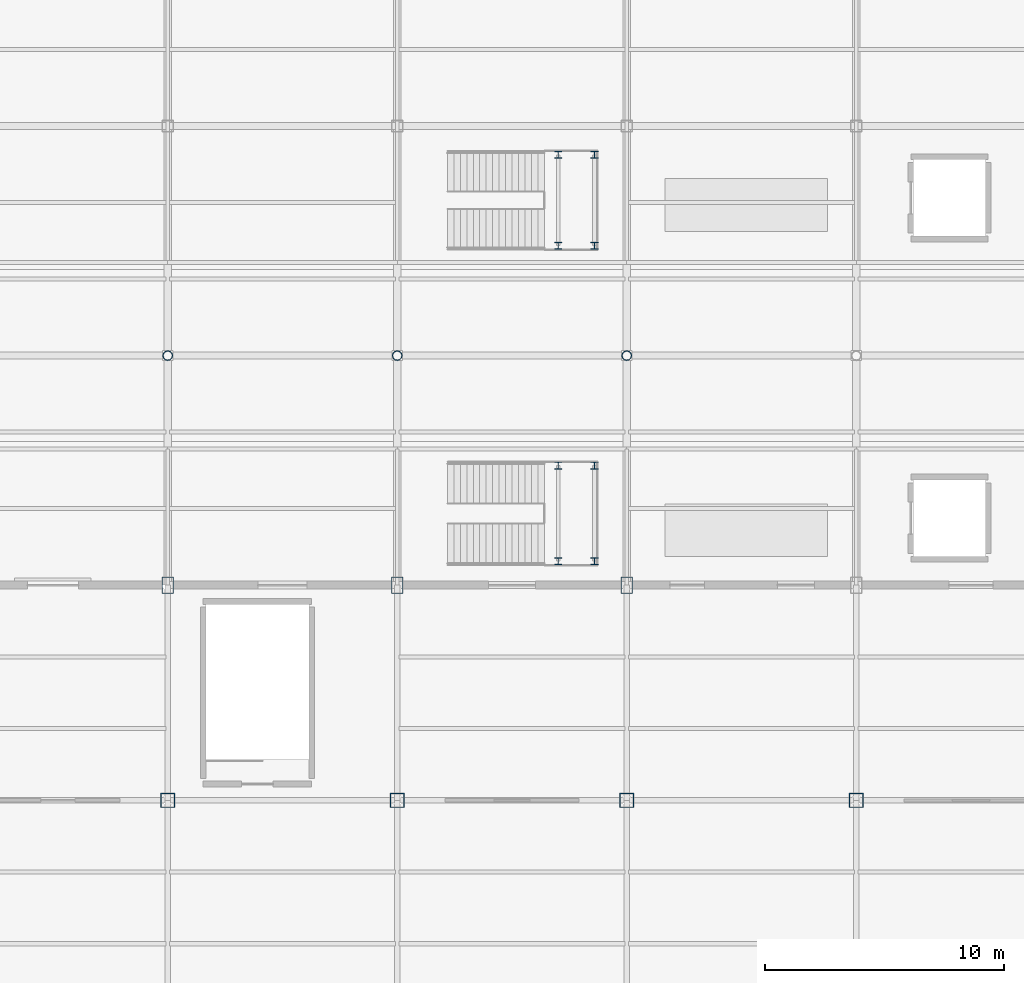
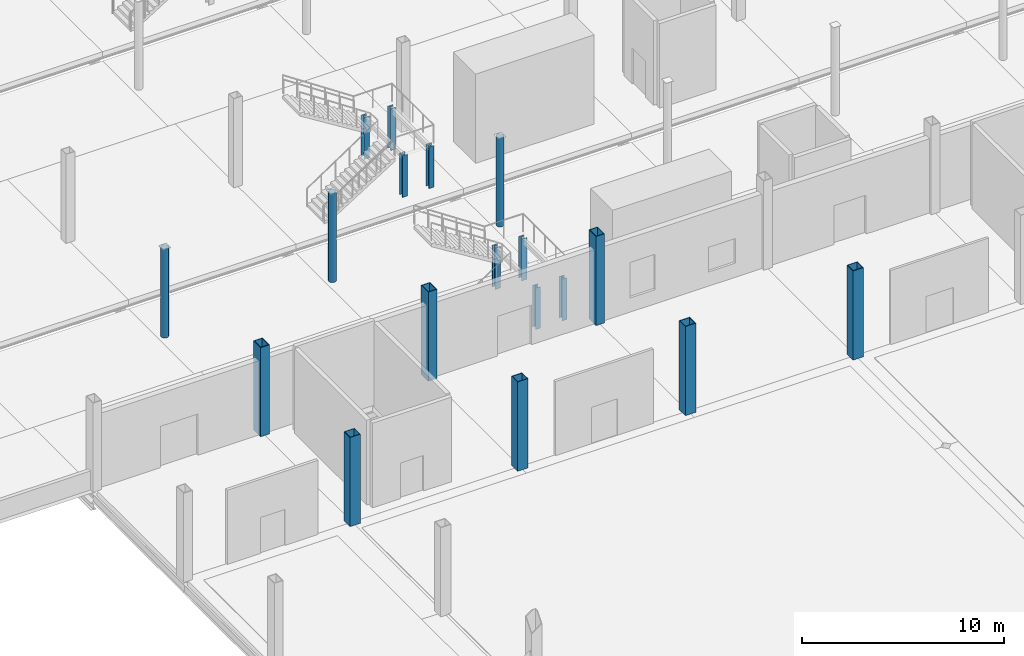
# One storey, part 12 of 85: 18 columns.
"""IFC4 building model written with IfcOpenShell, lengths in metres."""

from ifc_helpers import new_model, si_unit, direction, frame, origin, origin_2d, place, context, subcontext, project, spatial, hollow_rectangle, hollow_circle, i_section, extrude, material, material_profile, profile_set, type_object, element, save


model = new_model("IFC4")

# Units and contexts
model_context = context("Model", 3, precision=1e-05, world=origin(), true_north=direction((0.0, 1.0)))
body_context = subcontext(model_context, "Body", "Model", "MODEL_VIEW")
ifc_project = project(units=[si_unit("LENGTHUNIT", "METRE"), si_unit("AREAUNIT", "SQUARE_METRE"), si_unit("VOLUMEUNIT", "CUBIC_METRE"), si_unit("PLANEANGLEUNIT", "RADIAN"), si_unit("MASSUNIT", "GRAM", prefix="KILO")], contexts=[model_context])

# Site, building, storey
site_placement = place(None, origin())
site = spatial("IfcSite", under=ifc_project, at=site_placement, CompositionType="ELEMENT")
building_placement = place(site_placement, origin())
building = spatial("IfcBuilding", under=site, at=building_placement, Name="Zarnetskaya Central Station", CompositionType="ELEMENT")
storey_placement = place(building_placement, origin())
storey = spatial("IfcBuildingStorey", under=building, at=storey_placement, Name="L00", CompositionType="ELEMENT", Elevation=0.0)

# Columns
ifc_material = material(Name="Steel S355", Category="steel")
ifc_material_profile_1 = material_profile(ifc_material, hollow_circle(Radius=0.203125, WallThickness=0.02001953125, at=origin_2d()), Name="CHS 406.4x20")
ifc_profile_set_1 = profile_set([ifc_material_profile_1], Name="Steel S355")
column_type_1 = type_object("IfcColumnType", Name="COL-V1-PCAN", PredefinedType="COLUMN", material=ifc_profile_set_1)
for number, where, z_axis, x_axis, name in (
    (1, (67.199951171875, 76.800048828125, 0.0), (0.0, 0.0, 1.0), (1.0, 0.0, 0.0), "Column H10 L00"),
    (2, (76.800048828125, 76.800048828125, 0.0), (0.0, 0.0, 1.0), (1.0, 0.0, 0.0), "Column J10 L00"),
    (3, (86.39990234375, 76.800048828125, 0.0), (0.0, 0.0, 1.0), (1.0, 0.0, 0.0), "Column K10 L00"),
):
    element("IfcColumn", number, at=place(storey_placement, frame(where, z_axis=z_axis, x_axis=x_axis)), inside=storey, type_object=column_type_1, Name=name, PredefinedType="COLUMN", context=body_context, shape_type="SweptSolid", body=[
        extrude(hollow_circle(Radius=0.203125, WallThickness=0.02001953125, at=origin_2d()), origin(), (0.0, 0.0, 1.0), 5.387939453125),
    ])
ifc_material_profile_2 = material_profile(ifc_material, hollow_rectangle(XDim=0.5, YDim=0.699951171875, WallThickness=0.031982421875, at=origin_2d()), Name="BOX 700x500x32")
ifc_profile_set_2 = profile_set([ifc_material_profile_2], Name="Steel S355")
column_type_2 = type_object("IfcColumnType", Name="COL-V2-HALL", PredefinedType="COLUMN", material=ifc_profile_set_2)
for number, where, z_axis, x_axis, name in (
    (4, (67.199951171875, 67.199951171875, 0.0), (0.0, 0.0, 1.0), (1.0, 0.0, 0.0), "Column H9 L00"),
    (5, (76.800048828125, 67.199951171875, 0.0), (0.0, 0.0, 1.0), (1.0, 0.0, 0.0), "Column J9 L00"),
    (6, (86.39990234375, 67.199951171875, 0.0), (0.0, 0.0, 1.0), (1.0, 0.0, 0.0), "Column K9 L00"),
):
    element("IfcColumn", number, at=place(storey_placement, frame(where, z_axis=z_axis, x_axis=x_axis)), inside=storey, type_object=column_type_2, Name=name, PredefinedType="COLUMN", context=body_context, shape_type="SweptSolid", body=[
        extrude(hollow_rectangle(XDim=0.5, YDim=0.699951171875, WallThickness=0.031982421875, at=origin_2d()), origin(), (0.0, 0.0, 1.0), 5.39990234375),
    ])
ifc_material_profile_3 = material_profile(ifc_material, hollow_rectangle(XDim=0.60009765625, YDim=0.60009765625, WallThickness=0.030029296875, at=origin_2d()), Name="BOX 600x600x30")
ifc_profile_set_3 = profile_set([ifc_material_profile_3], Name="Steel S355")
column_type_3 = type_object("IfcColumnType", Name="COL-V2-INT", PredefinedType="COLUMN", material=ifc_profile_set_3)
for number, where, z_axis, x_axis, name in (
    (7, (67.199951171875, 58.199951171875, 0.0), (0.0, 0.0, 1.0), (1.0, 0.0, 0.0), "Column H8 L00"),
    (8, (76.800048828125, 58.199951171875, 0.0), (0.0, 0.0, 1.0), (1.0, 0.0, 0.0), "Column J8 L00"),
    (9, (86.39990234375, 58.199951171875, 0.0), (0.0, 0.0, 1.0), (1.0, 0.0, 0.0), "Column K8 L00"),
    (10, (96.0, 58.199951171875, 0.0), (0.0, 0.0, 1.0), (1.0, 0.0, 0.0), "Column L8 L00"),
):
    element("IfcColumn", number, at=place(storey_placement, frame(where, z_axis=z_axis, x_axis=x_axis)), inside=storey, type_object=column_type_3, Name=name, PredefinedType="COLUMN", context=body_context, shape_type="SweptSolid", body=[
        extrude(hollow_rectangle(XDim=0.60009765625, YDim=0.60009765625, WallThickness=0.030029296875, at=origin_2d()), origin(), (0.0, 0.0, 1.0), 5.39990234375),
    ])
ifc_material_profile_4 = material_profile(ifc_material, i_section(OverallWidth=0.300048828125, OverallDepth=0.300048828125, WebThickness=0.010986328125, FlangeThickness=0.01904296875, FilletRadius=0.027099609375, at=origin_2d()), Name="HEB 300")
ifc_profile_set_4 = profile_set([ifc_material_profile_4], Name="Steel S355")
column_type_4 = type_object("IfcColumnType", Name="COL-V4-INT", PredefinedType="COLUMN", material=ifc_profile_set_4)
for number, where, z_axis, x_axis, name in (
    (11, (83.530029296875, 68.199951171875, 0.0), (0.0, 0.0, 1.0), (1.0, 0.0, 0.0), "Stair ST-P1 half-landing post 11"),
    (12, (83.530029296875, 72.199951171875, 0.0), (0.0, 0.0, 1.0), (1.0, 0.0, 0.0), "Stair ST-P1 half-landing post 12"),
    (13, (85.050048828125, 68.199951171875, 0.0), (0.0, 0.0, 1.0), (1.0, 0.0, 0.0), "Stair ST-P1 half-landing post 21"),
    (14, (85.050048828125, 72.199951171875, 0.0), (0.0, 0.0, 1.0), (1.0, 0.0, 0.0), "Stair ST-P1 half-landing post 22"),
    (15, (83.530029296875, 81.39990234375, 0.0), (0.0, 0.0, 1.0), (1.0, 0.0, 0.0), "Stair ST-P2 half-landing post 11"),
    (16, (83.530029296875, 85.199951171875, 0.0), (0.0, 0.0, 1.0), (1.0, 0.0, 0.0), "Stair ST-P2 half-landing post 12"),
    (17, (85.050048828125, 81.39990234375, 0.0), (0.0, 0.0, 1.0), (1.0, 0.0, 0.0), "Stair ST-P2 half-landing post 21"),
    (18, (85.050048828125, 85.199951171875, 0.0), (0.0, 0.0, 1.0), (1.0, 0.0, 0.0), "Stair ST-P2 half-landing post 22"),
):
    element("IfcColumn", number, at=place(storey_placement, frame(where, z_axis=z_axis, x_axis=x_axis)), inside=storey, type_object=column_type_4, Name=name, PredefinedType="COLUMN", context=body_context, shape_type="SweptSolid", body=[
        extrude(i_section(OverallWidth=0.300048828125, OverallDepth=0.300048828125, WebThickness=0.010986328125, FlangeThickness=0.01904296875, FilletRadius=0.027099609375, at=origin_2d()), origin(), (0.0, 0.0, 1.0), 2.514892578125),
    ])

save(model, "model.ifc")
